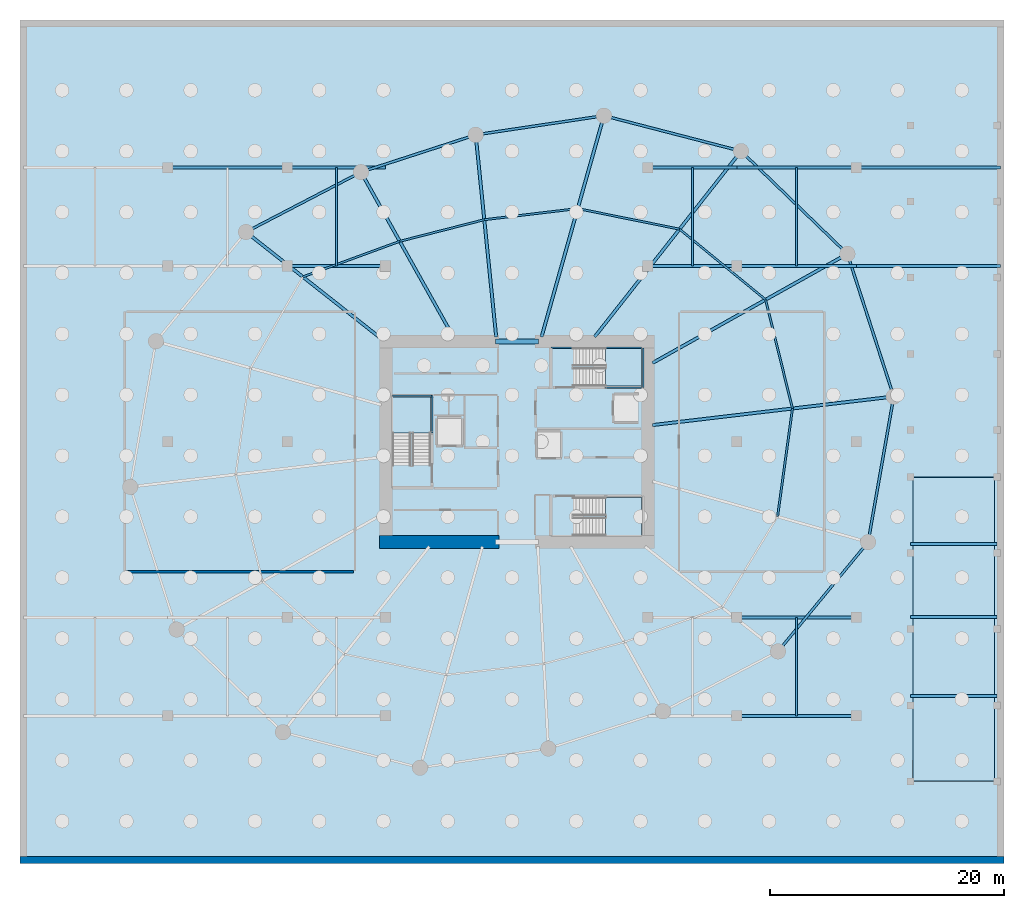
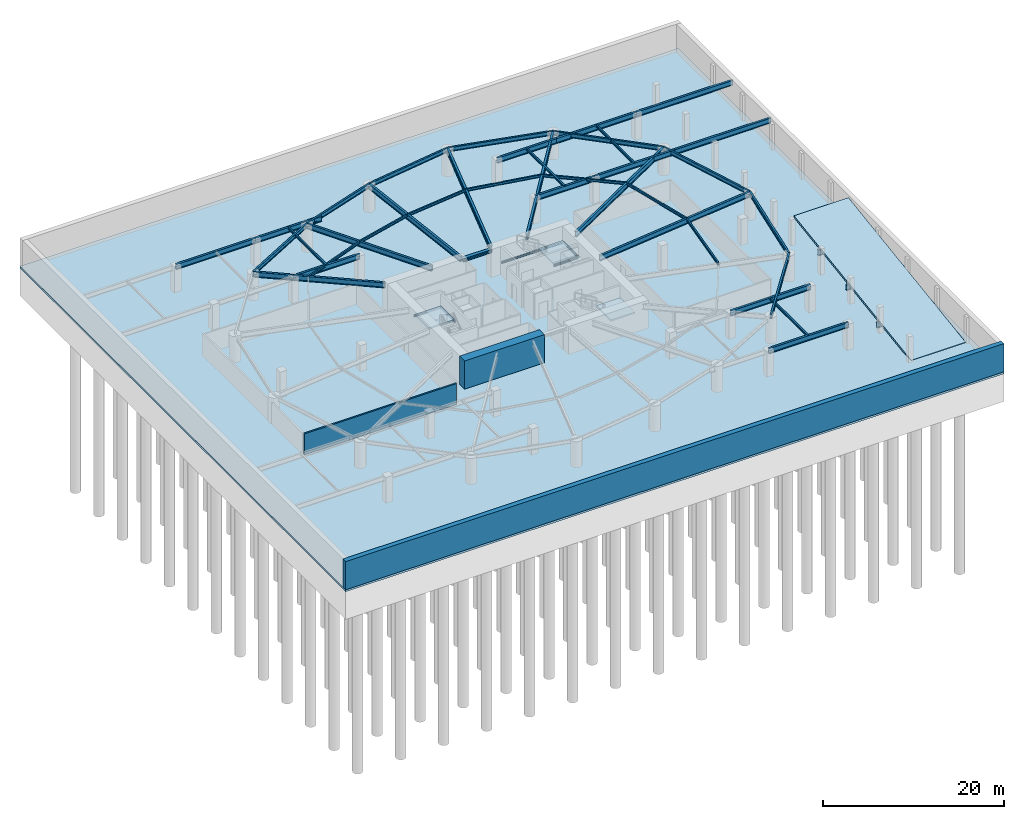
# One storey, part 6 of 12: 46 beams, 5 slabs, 3 walls, 3 elements without a shape of their own.
"""IFC4 building model written with IfcOpenShell, lengths in metres."""

import ifcopenshell
import ifcopenshell.guid

model = None  # the IFC model being written
_history = None  # IfcOwnerHistory: only IFC2X3 demands one
_inside = {}  # id of a spatial element -> (the spatial element, [elements in it])
_under = {}  # id of a project, library or spatial element -> (it, [spatial elements below it])
_declared = {}  # id of a project -> (the project, [libraries it declares])
_typed = {}  # id of a type object -> (the type object, [elements of that type])
_made_of = {}  # id of a material, layer set ... -> (it, [elements and type objects made of it])


def new_model(schema):
    """Start an empty IFC model of exactly this schema.

    Asked for "IFC4X3", IfcOpenShell would pick the latest addendum, in which some entities
    have other attributes; the version numbers below select the first issue.
    IFC2X3 requires an IfcOwnerHistory on every rooted entity: one is made here for all.
    """
    global model, _history
    if schema == "IFC4X3":
        model = ifcopenshell.file(schema_version=(4, 3, 0, 0))
    else:
        model = ifcopenshell.file(schema=schema)
    _inside.clear()
    _under.clear()
    _declared.clear()
    _typed.clear()
    _made_of.clear()
    _history = None
    if model.schema == "IFC2X3":
        org = make("IfcOrganization", Name="unknown")
        user = make(
            "IfcPersonAndOrganization",
            ThePerson=make("IfcPerson", FamilyName="unknown"),
            TheOrganization=org,
        )
        app = make(
            "IfcApplication",
            ApplicationDeveloper=org,
            Version="unknown",
            ApplicationFullName="unknown",
            ApplicationIdentifier="unknown",
        )
        _history = make(
            "IfcOwnerHistory",
            OwningUser=user,
            OwningApplication=app,
            ChangeAction="ADDED",
            CreationDate=0,
        )
    return model


def make(cls, **values):
    """One entity of the class cls with the attributes given. An attribute that is None is left unset."""
    return model.create_entity(
        cls, **{name: value for name, value in values.items() if value is not None}
    )


def rooted(cls, **values):
    """An entity with a GlobalId (a new one), such as an element, a storey or a relation."""
    return make(cls, GlobalId=ifcopenshell.guid.new(), OwnerHistory=_history, **values)


def si_unit(unit_type, name, prefix=None):
    """IfcSIUnit, for example si_unit("LENGTHUNIT", "METRE", prefix="MILLI")."""
    return make("IfcSIUnit", UnitType=unit_type, Prefix=prefix, Name=name)


def assignment(units):
    """IfcUnitAssignment: the units of a project."""
    return None if units is None else make("IfcUnitAssignment", Units=units)


def point(xyz):
    """IfcCartesianPoint."""
    return None if xyz is None else make("IfcCartesianPoint", Coordinates=xyz)


def direction(xyz):
    """IfcDirection."""
    return None if xyz is None else make("IfcDirection", DirectionRatios=xyz)


def frame(location, z_axis=None, x_axis=None):
    """IfcAxis2Placement3D, a coordinate frame: its origin and axes. An axis left out is left unset."""
    return make(
        "IfcAxis2Placement3D",
        Location=point(location),
        Axis=direction(z_axis),
        RefDirection=direction(x_axis),
    )


def frame_2d(location, x_axis=None):
    """IfcAxis2Placement2D, a coordinate frame in the plane: its origin and x axis."""
    return make(
        "IfcAxis2Placement2D", Location=point(location), RefDirection=direction(x_axis)
    )


def origin():
    """The frame at (0, 0, 0) with its axes left unset."""
    return frame((0.0, 0.0, 0.0))


def origin_2d():
    """The frame at (0, 0) in the plane with its x axis left unset."""
    return frame_2d((0.0, 0.0))


def place(relative_to, where):
    """IfcLocalPlacement: puts the frame where relative to a parent placement (None: the world)."""
    return make(
        "IfcLocalPlacement", PlacementRelTo=relative_to, RelativePlacement=where
    )


def context(
    kind, dimensions, precision=None, world=None, true_north=None, identifier=None
):
    """IfcGeometricRepresentationContext, for example the 3D "Model" context."""
    return make(
        "IfcGeometricRepresentationContext",
        ContextIdentifier=identifier,
        ContextType=kind,
        CoordinateSpaceDimension=dimensions,
        Precision=precision,
        WorldCoordinateSystem=world,
        TrueNorth=true_north,
    )


def subcontext(parent, identifier, kind, view, scale=None):
    """IfcGeometricRepresentationSubContext, for example "Body" below "Model"."""
    return make(
        "IfcGeometricRepresentationSubContext",
        ContextIdentifier=identifier,
        ContextType=kind,
        ParentContext=parent,
        TargetScale=scale,
        TargetView=view,
    )


def project(units=None, contexts=None):
    """IfcProject with its units and contexts."""
    return rooted(
        "IfcProject",
        Name="project",
        RepresentationContexts=contexts,
        UnitsInContext=assignment(units),
    )


def spatial(cls, under=None, at=None, **own):
    """A site, building, storey or space (cls), placed at a placement, below another one or the project."""
    s = rooted(cls, ObjectPlacement=at, **own)
    if under is not None:
        _under.setdefault(under.id(), (under, []))[1].append(s)
    return s


def polyline(points):
    """IfcPolyline through the points."""
    return make("IfcPolyline", Points=[point(p) for p in points])


def profile(cls, at=None, kind="AREA", **sizes):
    """A parametric profile (cls). Its sizes go by their IFC names, for example OverallWidth=200.0."""
    return make(cls, ProfileType=kind, Position=at, **sizes)


def rectangle(**sizes):
    """IfcRectangleProfileDef."""
    return profile("IfcRectangleProfileDef", **sizes)


def i_section(**sizes):
    """IfcIShapeProfileDef."""
    return profile("IfcIShapeProfileDef", **sizes)


def outline(outer, holes=None, kind="AREA"):
    """IfcArbitraryClosedProfileDef: a profile drawn as a closed curve; with holes, ...WithVoids."""
    if holes is None:
        return make("IfcArbitraryClosedProfileDef", ProfileType=kind, OuterCurve=outer)
    return make(
        "IfcArbitraryProfileDefWithVoids",
        ProfileType=kind,
        OuterCurve=outer,
        InnerCurves=holes,
    )


def extrude(swept, where, along, depth):
    """IfcExtrudedAreaSolid: the profile swept, set in the frame where, extruded along a direction by depth."""
    return make(
        "IfcExtrudedAreaSolid",
        SweptArea=swept,
        Position=where,
        ExtrudedDirection=direction(along),
        Depth=depth,
    )


def shape(context_of_items, identifier, shape_type, items):
    """IfcShapeRepresentation: the items that make up one representation, for example the "Body"."""
    return make(
        "IfcShapeRepresentation",
        ContextOfItems=context_of_items,
        RepresentationIdentifier=identifier,
        RepresentationType=shape_type,
        Items=items,
    )


def material(Name=None, Category=None):
    """IfcMaterial."""
    return make("IfcMaterial", Name=Name, Category=Category)


def layer(
    of_material, thickness, ventilated=None, Name=None, Category=None, Priority=None
):
    """IfcMaterialLayer: one layer of a wall or slab, of a material (None: an air gap)."""
    return make(
        "IfcMaterialLayer",
        Material=of_material,
        LayerThickness=thickness,
        IsVentilated=ventilated,
        Name=Name,
        Category=Category,
        Priority=Priority,
    )


def layer_set(layers, Name=None):
    """IfcMaterialLayerSet."""
    return make("IfcMaterialLayerSet", MaterialLayers=layers, LayerSetName=Name)


def material_profile(
    of_material, cross_section, Name=None, Category=None, Priority=None
):
    """IfcMaterialProfile: a cross section and its material."""
    return make(
        "IfcMaterialProfile",
        Name=Name,
        Material=of_material,
        Profile=cross_section,
        Priority=Priority,
        Category=Category,
    )


def profile_set(profiles, Name=None, composite=None):
    """IfcMaterialProfileSet."""
    return make(
        "IfcMaterialProfileSet",
        Name=Name,
        MaterialProfiles=profiles,
        CompositeProfile=composite,
    )


def made_of(thing, what):
    """Note that an element or type object is made of a material, layer set ...; save() writes the relation."""
    if what is not None:
        _made_of.setdefault(what.id(), (what, []))[1].append(thing)
    return thing


def type_object(cls, material=None, **own):
    """A type object (cls), such as IfcWallType, which elements share."""
    return made_of(rooted(cls, **own), material)


def element(
    cls,
    number,
    at=None,
    inside=None,
    cuts=None,
    type_object=None,
    material=None,
    context=None,
    identifier="Body",
    shape_type=None,
    held_by="IfcProductDefinitionShape",
    body=None,
    shapes=None,
    **own,
):
    """One element of the class cls, such as IfcWall. Its Tag is "e" and its number.

    at: its placement. inside: the storey or other place that contains it. cuts: it is an
    opening in that element (IfcRelVoidsElement). A single representation is given by context,
    identifier, shape_type and body (its items); several are given by shapes. held_by: the class
    of the entity that holds the representations. save() writes the other relations.
    """
    e = rooted(cls, Tag="e%d" % number, ObjectPlacement=at, **own)
    if body is not None:
        shapes = [shape(context, identifier, shape_type, body)]
    if shapes is not None:
        e.Representation = make(held_by, Representations=shapes)
    if inside is not None:
        _inside.setdefault(inside.id(), (inside, []))[1].append(e)
    if cuts is not None:
        rooted(
            "IfcRelVoidsElement", RelatingBuildingElement=cuts, RelatedOpeningElement=e
        )
    if type_object is not None:
        _typed.setdefault(type_object.id(), (type_object, []))[1].append(e)
    return made_of(e, material)


def aggregate(whole, parts):
    """IfcRelAggregates: a whole, such as a stair, and the parts it consists of."""
    return rooted("IfcRelAggregates", RelatingObject=whole, RelatedObjects=parts)


def save(model, path):
    """Write the relations noted so far, then the file.

    IfcRelAggregates (storeys below a building ...), IfcRelContainedInSpatialStructure (elements
    in a storey), IfcRelDefinesByType, IfcRelAssociatesMaterial and IfcRelDeclares: one each for
    every whole, place, type object, material and project.
    """
    for whole, parts in _under.values():
        aggregate(whole, parts)
    for where, things in _inside.values():
        rooted(
            "IfcRelContainedInSpatialStructure",
            RelatedElements=things,
            RelatingStructure=where,
        )
    for kind, things in _typed.values():
        rooted("IfcRelDefinesByType", RelatedObjects=things, RelatingType=kind)
    for what, things in _made_of.values():
        rooted("IfcRelAssociatesMaterial", RelatedObjects=things, RelatingMaterial=what)
    for by, libraries in _declared.values():
        rooted("IfcRelDeclares", RelatingContext=by, RelatedDefinitions=libraries)
    model.write(path)


model = new_model("IFC4")

# Units and contexts
model_context = context("Model", 3, precision=1e-05, world=origin(), true_north=direction((0.0, 1.0)))
body_context = subcontext(model_context, "Body", "Model", "MODEL_VIEW")
ifc_project = project(units=[si_unit("LENGTHUNIT", "METRE"), si_unit("AREAUNIT", "SQUARE_METRE"), si_unit("VOLUMEUNIT", "CUBIC_METRE"), si_unit("PLANEANGLEUNIT", "RADIAN"), si_unit("MASSUNIT", "GRAM", prefix="KILO")], contexts=[model_context])

# Site, building, storey
site_placement = place(None, origin())
site = spatial("IfcSite", under=ifc_project, at=site_placement, CompositionType="ELEMENT")
building_placement = place(site_placement, origin())
building = spatial("IfcBuilding", under=site, at=building_placement, Name="Kazma Halo Residences", CompositionType="ELEMENT")
storey_placement = place(building_placement, frame((0.0, 0.0, -7.60009765625)))
storey = spatial("IfcBuildingStorey", under=building, at=storey_placement, Name="B02", CompositionType="ELEMENT", Elevation=-7.60009765625)

# Beams
ifc_material_1 = material(Name="Steel S355", Category="steel")
ifc_material_profile_1 = material_profile(ifc_material_1, i_section(OverallWidth=0.25390625, OverallDepth=0.68408203125, WebThickness=0.012451171875, FlangeThickness=0.01904296875, FilletRadius=0.01806640625, at=origin_2d()), Name="W690x140")
ifc_profile_set_1 = profile_set([ifc_material_profile_1], Name="Steel S355")
beam_type_1 = type_object("IfcBeamType", Name="BM-BSMT-W690", PredefinedType="BEAM", material=ifc_profile_set_1)
for number, where, z_axis, x_axis, name in (
    (1, (67.199951171875, 18.60009765625, 3.177978515625), (1.0, 0.0, 0.0), (0.0, 1.0, 0.0), "B02 primary girder Y=18.6 bay 5"),
    (2, (67.199951171875, 27.0, 3.177978515625), (1.0, 0.0, 0.0), (0.0, 1.0, 0.0), "B02 primary girder Y=27.0 bay 5"),
):
    element("IfcBeam", number, at=place(storey_placement, frame(where, z_axis=z_axis, x_axis=x_axis)), inside=storey, type_object=beam_type_1, Name=name, PredefinedType="BEAM", context=body_context, shape_type="SweptSolid", body=[
        extrude(i_section(OverallWidth=0.25390625, OverallDepth=0.68408203125, WebThickness=0.012451171875, FlangeThickness=0.01904296875, FilletRadius=0.01806640625, at=origin_2d()), origin(), (0.0, 0.0, 1.0), 10.199951171875),
    ])
beam_1_placement = place(storey_placement, frame((28.800048828125, 57.0, 3.177978515625), z_axis=(1.0, 0.0, 0.0), x_axis=(0.0, 1.0, 0.0)))
element("IfcBeam", 3, at=beam_1_placement, inside=storey, type_object=beam_type_1, Name="B02 primary girder Y=57.0 bay 3", PredefinedType="BEAM", context=body_context, shape_type="SweptSolid", body=[
    extrude(i_section(OverallWidth=0.25390625, OverallDepth=0.68408203125, WebThickness=0.012451171875, FlangeThickness=0.01904296875, FilletRadius=0.01806640625, at=origin_2d()), origin(), (0.0, 0.0, 1.0), 8.39990234375),
])
beam_2_placement = place(storey_placement, frame((59.60009765625, 57.0, 3.177978515625), z_axis=(1.0, 0.0, 0.0), x_axis=(0.0, 1.0, 0.0)))
element("IfcBeam", 4, at=beam_2_placement, inside=storey, type_object=beam_type_1, Name="B02 primary girder Y=57.0 bay 4", PredefinedType="BEAM", context=body_context, shape_type="SweptSolid", body=[
    extrude(i_section(OverallWidth=0.25390625, OverallDepth=0.68408203125, WebThickness=0.012451171875, FlangeThickness=0.01904296875, FilletRadius=0.01806640625, at=origin_2d()), origin(), (0.0, 0.0, 1.0), 7.599853515625),
])
beam_3_placement = place(storey_placement, frame((67.199951171875, 57.0, 3.177978515625), z_axis=(1.0, 0.0, 0.0), x_axis=(0.0, 1.0, 0.0)))
element("IfcBeam", 5, at=beam_3_placement, inside=storey, type_object=beam_type_1, Name="B02 primary girder Y=57.0 bay 5", PredefinedType="BEAM", context=body_context, shape_type="SweptSolid", body=[
    extrude(i_section(OverallWidth=0.25390625, OverallDepth=0.68408203125, WebThickness=0.012451171875, FlangeThickness=0.01904296875, FilletRadius=0.01806640625, at=origin_2d()), origin(), (0.0, 0.0, 1.0), 10.199951171875),
])
beam_4_placement = place(storey_placement, frame((77.39990234375, 57.0, 3.177978515625), z_axis=(1.0, 0.0, 0.0), x_axis=(0.0, 1.0, 0.0)))
element("IfcBeam", 6, at=beam_4_placement, inside=storey, type_object=beam_type_1, Name="B02 primary girder Y=57.0 bay 6", PredefinedType="BEAM", context=body_context, shape_type="SweptSolid", body=[
    extrude(i_section(OverallWidth=0.25390625, OverallDepth=0.68408203125, WebThickness=0.012451171875, FlangeThickness=0.01904296875, FilletRadius=0.01806640625, at=origin_2d()), origin(), (0.0, 0.0, 1.0), 12.300048828125),
])
beam_5_placement = place(storey_placement, frame((18.60009765625, 65.39990234375, 3.177978515625), z_axis=(1.0, 0.0, 0.0), x_axis=(0.0, 1.0, 0.0)))
element("IfcBeam", 7, at=beam_5_placement, inside=storey, type_object=beam_type_1, Name="B02 primary girder Y=65.4 bay 2", PredefinedType="BEAM", context=body_context, shape_type="SweptSolid", body=[
    extrude(i_section(OverallWidth=0.25390625, OverallDepth=0.68408203125, WebThickness=0.012451171875, FlangeThickness=0.01904296875, FilletRadius=0.01806640625, at=origin_2d()), origin(), (0.0, 0.0, 1.0), 10.199951171875),
])
beam_6_placement = place(storey_placement, frame((28.800048828125, 65.39990234375, 3.177978515625), z_axis=(1.0, 0.0, 0.0), x_axis=(0.0, 1.0, 0.0)))
element("IfcBeam", 8, at=beam_6_placement, inside=storey, type_object=beam_type_1, Name="B02 primary girder Y=65.4 bay 3", PredefinedType="BEAM", context=body_context, shape_type="SweptSolid", body=[
    extrude(i_section(OverallWidth=0.25390625, OverallDepth=0.68408203125, WebThickness=0.012451171875, FlangeThickness=0.01904296875, FilletRadius=0.01806640625, at=origin_2d()), origin(), (0.0, 0.0, 1.0), 8.39990234375),
])
beam_7_placement = place(storey_placement, frame((59.60009765625, 65.39990234375, 3.177978515625), z_axis=(1.0, 0.0, 0.0), x_axis=(0.0, 1.0, 0.0)))
element("IfcBeam", 9, at=beam_7_placement, inside=storey, type_object=beam_type_1, Name="B02 primary girder Y=65.4 bay 4", PredefinedType="BEAM", context=body_context, shape_type="SweptSolid", body=[
    extrude(i_section(OverallWidth=0.25390625, OverallDepth=0.68408203125, WebThickness=0.012451171875, FlangeThickness=0.01904296875, FilletRadius=0.01806640625, at=origin_2d()), origin(), (0.0, 0.0, 1.0), 7.599853515625),
])
beam_8_placement = place(storey_placement, frame((67.199951171875, 65.39990234375, 3.177978515625), z_axis=(1.0, 0.0, 0.0), x_axis=(0.0, 1.0, 0.0)))
element("IfcBeam", 10, at=beam_8_placement, inside=storey, type_object=beam_type_1, Name="B02 primary girder Y=65.4 bay 5", PredefinedType="BEAM", context=body_context, shape_type="SweptSolid", body=[
    extrude(i_section(OverallWidth=0.25390625, OverallDepth=0.68408203125, WebThickness=0.012451171875, FlangeThickness=0.01904296875, FilletRadius=0.01806640625, at=origin_2d()), origin(), (0.0, 0.0, 1.0), 10.199951171875),
])
beam_9_placement = place(storey_placement, frame((77.39990234375, 65.39990234375, 3.177978515625), z_axis=(1.0, 0.0, 0.0), x_axis=(0.0, 1.0, 0.0)))
element("IfcBeam", 11, at=beam_9_placement, inside=storey, type_object=beam_type_1, Name="B02 primary girder Y=65.4 bay 6", PredefinedType="BEAM", context=body_context, shape_type="SweptSolid", body=[
    extrude(i_section(OverallWidth=0.25390625, OverallDepth=0.68408203125, WebThickness=0.012451171875, FlangeThickness=0.01904296875, FilletRadius=0.01806640625, at=origin_2d()), origin(), (0.0, 0.0, 1.0), 12.300048828125),
])
for number, where, z_axis, x_axis, name in (
    (12, (82.0, 20.302001953125, 0.439208984375), (1.0, 0.0, 0.0), (0.0, 1.0, 0.0), "B02 vehicle ramp cross beam 1"),
    (13, (82.0, 27.035888671875, 1.427001953125), (1.0, 0.0, 0.0), (0.0, 1.0, 0.0), "B02 vehicle ramp cross beam 2"),
    (14, (82.0, 33.251953125, 2.339111328125), (1.0, 0.0, 0.0), (0.0, 1.0, 0.0), "B02 vehicle ramp cross beam 3"),
):
    element("IfcBeam", number, at=place(storey_placement, frame(where, z_axis=z_axis, x_axis=x_axis)), inside=storey, type_object=beam_type_1, Name=name, PredefinedType="BEAM", context=body_context, shape_type="SweptSolid", body=[
        extrude(i_section(OverallWidth=0.25390625, OverallDepth=0.68408203125, WebThickness=0.012451171875, FlangeThickness=0.01904296875, FilletRadius=0.01806640625, at=origin_2d()), origin(), (0.0, 0.0, 1.0), 7.39990234375),
    ])
beam_10_placement = place(storey_placement, frame((60.0, 48.72021484375, 3.177978515625), z_axis=(0.872493349369, 0.488625987139, 0.0), x_axis=(-0.488625987139, 0.872493349369, 0.0)))
element("IfcBeam", 15, at=beam_10_placement, inside=storey, type_object=beam_type_1, Name="B02 radial floor beam 01", PredefinedType="BEAM", context=body_context, shape_type="SweptSolid", body=[
    extrude(i_section(OverallWidth=0.25390625, OverallDepth=0.68408203125, WebThickness=0.012451171875, FlangeThickness=0.01904296875, FilletRadius=0.01806640625, at=origin_2d()), origin(), (0.0, 0.0, 1.0), 19.0634765625),
])
beam_11_placement = place(storey_placement, frame((55.0556640625, 50.949951171875, 3.177978515625), z_axis=(0.619089277374, 0.785320613915, 0.0), x_axis=(-0.785320613915, 0.619089277374, 0.0)))
element("IfcBeam", 16, at=beam_11_placement, inside=storey, type_object=beam_type_1, Name="B02 radial floor beam 02", PredefinedType="BEAM", context=body_context, shape_type="SweptSolid", body=[
    extrude(i_section(OverallWidth=0.25390625, OverallDepth=0.68408203125, WebThickness=0.012451171875, FlangeThickness=0.01904296875, FilletRadius=0.01806640625, at=origin_2d()), origin(), (0.0, 0.0, 1.0), 20.18701171875),
])
beam_12_placement = place(storey_placement, frame((50.524169921875, 50.949951171875, 3.177978515625), z_axis=(0.271433858007, 0.962457095526, 0.0), x_axis=(-0.962457095526, 0.271433858007, 0.0)))
element("IfcBeam", 17, at=beam_12_placement, inside=storey, type_object=beam_type_1, Name="B02 radial floor beam 03", PredefinedType="BEAM", context=body_context, shape_type="SweptSolid", body=[
    extrude(i_section(OverallWidth=0.25390625, OverallDepth=0.68408203125, WebThickness=0.012451171875, FlangeThickness=0.01904296875, FilletRadius=0.01806640625, at=origin_2d()), origin(), (0.0, 0.0, 1.0), 19.617919921875),
])
beam_13_placement = place(storey_placement, frame((46.64990234375, 50.949951171875, 3.177978515625), z_axis=(-0.100981723867, 0.994888280886, 0.0), x_axis=(-0.994888280886, -0.100981723867, 0.0)))
element("IfcBeam", 18, at=beam_13_placement, inside=storey, type_object=beam_type_1, Name="B02 radial floor beam 04", PredefinedType="BEAM", context=body_context, shape_type="SweptSolid", body=[
    extrude(i_section(OverallWidth=0.25390625, OverallDepth=0.68408203125, WebThickness=0.012451171875, FlangeThickness=0.01904296875, FilletRadius=0.01806640625, at=origin_2d()), origin(), (0.0, 0.0, 1.0), 17.334716796875),
])
beam_14_placement = place(storey_placement, frame((42.98779296875, 50.949951171875, 3.177978515625), z_axis=(-0.488623198121, 0.872494911308, 0.0), x_axis=(-0.872494911308, -0.488623198121, 0.0)))
element("IfcBeam", 19, at=beam_14_placement, inside=storey, type_object=beam_type_1, Name="B02 radial floor beam 05", PredefinedType="BEAM", context=body_context, shape_type="SweptSolid", body=[
    extrude(i_section(OverallWidth=0.25390625, OverallDepth=0.68408203125, WebThickness=0.012451171875, FlangeThickness=0.01904296875, FilletRadius=0.01806640625, at=origin_2d()), origin(), (0.0, 0.0, 1.0), 16.12109375),
])
beam_15_placement = place(storey_placement, frame((36.85009765625, 50.7900390625, 3.177978515625), z_axis=(-0.785321582594, 0.619088048594, 0.0), x_axis=(-0.619088048594, -0.785321582594, 0.0)))
element("IfcBeam", 20, at=beam_15_placement, inside=storey, type_object=beam_type_1, Name="B02 radial floor beam 06", PredefinedType="BEAM", context=body_context, shape_type="SweptSolid", body=[
    extrude(i_section(OverallWidth=0.25390625, OverallDepth=0.68408203125, WebThickness=0.012451171875, FlangeThickness=0.01904296875, FilletRadius=0.01806640625, at=origin_2d()), origin(), (0.0, 0.0, 1.0), 14.718994140625),
])
beam_16_placement = place(storey_placement, frame((60.0, 43.42041015625, 3.177978515625), z_axis=(0.993069425949, 0.117529210178, 0.0), x_axis=(-0.117529210178, 0.993069425949, 0.0)))
element("IfcBeam", 21, at=beam_16_placement, inside=storey, type_object=beam_type_1, Name="B02 radial floor beam 16", PredefinedType="BEAM", context=body_context, shape_type="SweptSolid", body=[
    extrude(i_section(OverallWidth=0.25390625, OverallDepth=0.68408203125, WebThickness=0.012451171875, FlangeThickness=0.01904296875, FilletRadius=0.01806640625, at=origin_2d()), origin(), (0.0, 0.0, 1.0), 20.7333984375),
])
ifc_material_profile_2 = material_profile(ifc_material_1, i_section(OverallWidth=0.408935546875, OverallDepth=0.425048828125, WebThickness=0.03271484375, FlangeThickness=0.052490234375, FilletRadius=0.02001953125, at=origin_2d()), Name="W360x421")
ifc_profile_set_2 = profile_set([ifc_material_profile_2], Name="Steel S355")
beam_type_2 = type_object("IfcBeamType", Name="BM-CORE-W360H", PredefinedType="BEAM", material=ifc_profile_set_2)
beam_17_placement = place(storey_placement, frame((46.60009765625, 50.550048828125, 3.3076171875), z_axis=(1.0, 0.0, 0.0), x_axis=(0.0, 1.0, 0.0)))
element("IfcBeam", 22, at=beam_17_placement, inside=storey, type_object=beam_type_2, Name="B02 core coupling beam N", PredefinedType="BEAM", context=body_context, shape_type="SweptSolid", body=[
    extrude(i_section(OverallWidth=0.408935546875, OverallDepth=0.425048828125, WebThickness=0.03271484375, FlangeThickness=0.052490234375, FilletRadius=0.02001953125, at=origin_2d()), origin(), (0.0, 0.0, 1.0), 3.64990234375),
])
ifc_material_profile_3 = material_profile(ifc_material_1, i_section(OverallWidth=0.1650390625, OverallDepth=0.31005859375, WebThickness=0.005859375, FlangeThickness=0.009765625, FilletRadius=0.011962890625, at=origin_2d()), Name="W310x38.7")
ifc_profile_set_3 = profile_set([ifc_material_profile_3], Name="Steel S355")
beam_type_3 = type_object("IfcBeamType", Name="BM-SEC-W310B", PredefinedType="JOIST", material=ifc_profile_set_3)
for number, where, z_axis, x_axis, name in (
    (23, (33.0, 57.0, 3.364990234375), (0.0, 1.0, 0.0), (-1.0, 0.0, 0.0), "B02 north secondary joist 3"),
    (24, (63.39990234375, 57.0, 3.364990234375), (0.0, 1.0, 0.0), (-1.0, 0.0, 0.0), "B02 north secondary joist 4"),
    (25, (72.300048828125, 18.60009765625, 3.364990234375), (0.0, 1.0, 0.0), (-1.0, 0.0, 0.0), "B02 south secondary joist 5"),
    (26, (72.300048828125, 57.0, 3.364990234375), (0.0, 1.0, 0.0), (-1.0, 0.0, 0.0), "B02 north secondary joist 5"),
):
    element("IfcBeam", number, at=place(storey_placement, frame(where, z_axis=z_axis, x_axis=x_axis)), inside=storey, type_object=beam_type_3, Name=name, PredefinedType="JOIST", context=body_context, shape_type="SweptSolid", body=[
        extrude(i_section(OverallWidth=0.1650390625, OverallDepth=0.31005859375, WebThickness=0.005859375, FlangeThickness=0.009765625, FilletRadius=0.011962890625, at=origin_2d()), origin(), (0.0, 0.0, 1.0), 8.39990234375),
    ])
beam_18_placement = place(storey_placement, frame((69.64697265625, 54.122802734375, 3.364990234375), z_axis=(-0.773208794724, 0.634151527446, 0.0), x_axis=(-0.634151527446, -0.773208794724, 0.0)))
element("IfcBeam", 27, at=beam_18_placement, inside=storey, type_object=beam_type_3, Name="B02 circumferential floor joist 01", PredefinedType="JOIST", context=body_context, shape_type="SweptSolid", body=[
    extrude(i_section(OverallWidth=0.1650390625, OverallDepth=0.31005859375, WebThickness=0.005859375, FlangeThickness=0.009765625, FilletRadius=0.011962890625, at=origin_2d()), origin(), (0.0, 0.0, 1.0), 9.49658203125),
])
beam_19_placement = place(storey_placement, frame((62.30419921875, 60.14501953125, 3.364990234375), z_axis=(-0.980192243317, 0.198048393432, 0.0), x_axis=(-0.198048393432, -0.980192243317, 0.0)))
element("IfcBeam", 28, at=beam_19_placement, inside=storey, type_object=beam_type_3, Name="B02 circumferential floor joist 02", PredefinedType="JOIST", context=body_context, shape_type="SweptSolid", body=[
    extrude(i_section(OverallWidth=0.1650390625, OverallDepth=0.31005859375, WebThickness=0.005859375, FlangeThickness=0.009765625, FilletRadius=0.011962890625, at=origin_2d()), origin(), (0.0, 0.0, 1.0), 8.866943359375),
])
beam_20_placement = place(storey_placement, frame((53.61279296875, 61.901123046875, 3.364990234375), z_axis=(-0.993006946192, -0.118055939346, 0.0), x_axis=(0.118055939346, -0.993006946192, 0.0)))
element("IfcBeam", 29, at=beam_20_placement, inside=storey, type_object=beam_type_3, Name="B02 circumferential floor joist 03", PredefinedType="JOIST", context=body_context, shape_type="SweptSolid", body=[
    extrude(i_section(OverallWidth=0.1650390625, OverallDepth=0.31005859375, WebThickness=0.005859375, FlangeThickness=0.009765625, FilletRadius=0.011962890625, at=origin_2d()), origin(), (0.0, 0.0, 1.0), 8.0341796875),
])
beam_21_placement = place(storey_placement, frame((45.634765625, 60.95263671875, 3.364990234375), z_axis=(-0.968838753185, -0.247692289598, 0.0), x_axis=(0.247692289598, -0.968838753185, 0.0)))
element("IfcBeam", 30, at=beam_21_placement, inside=storey, type_object=beam_type_3, Name="B02 circumferential floor joist 04", PredefinedType="JOIST", context=body_context, shape_type="SweptSolid", body=[
    extrude(i_section(OverallWidth=0.1650390625, OverallDepth=0.31005859375, WebThickness=0.005859375, FlangeThickness=0.009765625, FilletRadius=0.011962890625, at=origin_2d()), origin(), (0.0, 0.0, 1.0), 7.44775390625),
])
beam_22_placement = place(storey_placement, frame((38.419189453125, 59.10791015625, 3.364990234375), z_axis=(-0.938908549767, -0.344166725838, 0.0), x_axis=(0.344166725838, -0.938908549767, 0.0)))
element("IfcBeam", 31, at=beam_22_placement, inside=storey, type_object=beam_type_3, Name="B02 circumferential floor joist 05", PredefinedType="JOIST", context=body_context, shape_type="SweptSolid", body=[
    extrude(i_section(OverallWidth=0.1650390625, OverallDepth=0.31005859375, WebThickness=0.005859375, FlangeThickness=0.009765625, FilletRadius=0.011962890625, at=origin_2d()), origin(), (0.0, 0.0, 1.0), 8.811767578125),
])
beam_23_placement = place(storey_placement, frame((70.670654296875, 35.606201171875, 3.364990234375), z_axis=(0.136476861279, 0.990643258865, 0.0), x_axis=(-0.990643258865, 0.136476861279, 0.0)))
element("IfcBeam", 32, at=beam_23_placement, inside=storey, type_object=beam_type_3, Name="B02 circumferential floor joist 15", PredefinedType="JOIST", context=body_context, shape_type="SweptSolid", body=[
    extrude(i_section(OverallWidth=0.1650390625, OverallDepth=0.31005859375, WebThickness=0.005859375, FlangeThickness=0.009765625, FilletRadius=0.011962890625, at=origin_2d()), origin(), (0.0, 0.0, 1.0), 9.314697265625),
])
beam_24_placement = place(storey_placement, frame((71.94189453125, 44.833740234375, 3.364990234375), z_axis=(-0.239845066169, 0.970811178466, 0.0), x_axis=(-0.970811178466, -0.239845066169, 0.0)))
element("IfcBeam", 33, at=beam_24_placement, inside=storey, type_object=beam_type_3, Name="B02 circumferential floor joist 16", PredefinedType="JOIST", context=body_context, shape_type="SweptSolid", body=[
    extrude(i_section(OverallWidth=0.1650390625, OverallDepth=0.31005859375, WebThickness=0.005859375, FlangeThickness=0.009765625, FilletRadius=0.011962890625, at=origin_2d()), origin(), (0.0, 0.0, 1.0), 9.568359375),
])
ifc_material_profile_4 = material_profile(ifc_material_1, i_section(OverallWidth=0.208984375, OverallDepth=0.532958984375, WebThickness=0.01025390625, FlangeThickness=0.015625, FilletRadius=0.01611328125, at=origin_2d()), Name="W530x92")
ifc_profile_set_4 = profile_set([ifc_material_profile_4], Name="Steel S355")
beam_type_4 = type_object("IfcBeamType", Name="BM-SPN-W530", PredefinedType="BEAM", material=ifc_profile_set_4)
beam_25_placement = place(storey_placement, frame((76.6328125, 58.03515625, 3.253662109375), z_axis=(-0.719339467226, 0.694658715407, 0.0), x_axis=(-0.694658715407, -0.719339467226, 0.0)))
element("IfcBeam", 34, at=beam_25_placement, inside=storey, type_object=beam_type_4, Name="B02 perimeter ring beam 01", PredefinedType="BEAM", context=body_context, shape_type="SweptSolid", body=[
    extrude(i_section(OverallWidth=0.208984375, OverallDepth=0.532958984375, WebThickness=0.01025390625, FlangeThickness=0.015625, FilletRadius=0.01611328125, at=origin_2d()), origin(), (0.0, 0.0, 1.0), 12.6220703125),
])
beam_26_placement = place(storey_placement, frame((67.55322265625, 66.80322265625, 3.253662109375), z_axis=(-0.968123781445, 0.250472241578, 0.0), x_axis=(-0.250472241578, -0.968123781445, 0.0)))
element("IfcBeam", 35, at=beam_26_placement, inside=storey, type_object=beam_type_4, Name="B02 perimeter ring beam 02", PredefinedType="BEAM", context=body_context, shape_type="SweptSolid", body=[
    extrude(i_section(OverallWidth=0.208984375, OverallDepth=0.532958984375, WebThickness=0.01025390625, FlangeThickness=0.015625, FilletRadius=0.01611328125, at=origin_2d()), origin(), (0.0, 0.0, 1.0), 12.08935546875),
])
beam_27_placement = place(storey_placement, frame((55.84912109375, 69.831298828125, 3.253662109375), z_axis=(-0.989031581018, -0.14770420356, 0.0), x_axis=(0.14770420356, -0.989031581018, 0.0)))
element("IfcBeam", 36, at=beam_27_placement, inside=storey, type_object=beam_type_4, Name="B02 perimeter ring beam 03", PredefinedType="BEAM", context=body_context, shape_type="SweptSolid", body=[
    extrude(i_section(OverallWidth=0.208984375, OverallDepth=0.532958984375, WebThickness=0.01025390625, FlangeThickness=0.015625, FilletRadius=0.01611328125, at=origin_2d()), origin(), (0.0, 0.0, 1.0), 11.071044921875),
])
beam_28_placement = place(storey_placement, frame((44.8994140625, 68.196044921875, 3.253662109375), z_axis=(-0.951061083857, -0.309002936511, 0.0), x_axis=(0.309002936511, -0.951061083857, 0.0)))
element("IfcBeam", 37, at=beam_28_placement, inside=storey, type_object=beam_type_4, Name="B02 perimeter ring beam 04", PredefinedType="BEAM", context=body_context, shape_type="SweptSolid", body=[
    extrude(i_section(OverallWidth=0.208984375, OverallDepth=0.532958984375, WebThickness=0.01025390625, FlangeThickness=0.015625, FilletRadius=0.01611328125, at=origin_2d()), origin(), (0.0, 0.0, 1.0), 10.29248046875),
])
beam_29_placement = place(storey_placement, frame((35.110595703125, 65.015625, 3.253662109375), z_axis=(-0.886954171981, -0.461857442082, 0.0), x_axis=(0.461857442082, -0.886954171981, 0.0)))
element("IfcBeam", 38, at=beam_29_placement, inside=storey, type_object=beam_type_4, Name="B02 perimeter ring beam 05", PredefinedType="BEAM", context=body_context, shape_type="SweptSolid", body=[
    extrude(i_section(OverallWidth=0.208984375, OverallDepth=0.532958984375, WebThickness=0.01025390625, FlangeThickness=0.015625, FilletRadius=0.01611328125, at=origin_2d()), origin(), (0.0, 0.0, 1.0), 11.071044921875),
])
beam_30_placement = place(storey_placement, frame((70.708984375, 24.09765625, 3.253662109375), z_axis=(0.635989643733, 0.771697591718, 0.0), x_axis=(-0.771697591718, 0.635989643733, 0.0)))
element("IfcBeam", 39, at=beam_30_placement, inside=storey, type_object=beam_type_4, Name="B02 perimeter ring beam 14", PredefinedType="BEAM", context=body_context, shape_type="SweptSolid", body=[
    extrude(i_section(OverallWidth=0.208984375, OverallDepth=0.532958984375, WebThickness=0.01025390625, FlangeThickness=0.015625, FilletRadius=0.01611328125, at=origin_2d()), origin(), (0.0, 0.0, 1.0), 12.08935546875),
])
beam_31_placement = place(storey_placement, frame((78.397705078125, 33.427001953125, 3.253662109375), z_axis=(0.173657334149, 0.984806138434, 0.0), x_axis=(-0.984806138434, 0.173657334149, 0.0)))
element("IfcBeam", 40, at=beam_31_placement, inside=storey, type_object=beam_type_4, Name="B02 perimeter ring beam 15", PredefinedType="BEAM", context=body_context, shape_type="SweptSolid", body=[
    extrude(i_section(OverallWidth=0.208984375, OverallDepth=0.532958984375, WebThickness=0.01025390625, FlangeThickness=0.015625, FilletRadius=0.01611328125, at=origin_2d()), origin(), (0.0, 0.0, 1.0), 12.6220703125),
])
beam_32_placement = place(storey_placement, frame((80.589599609375, 45.857177734375, 3.253662109375), z_axis=(-0.3090114866, 0.951058305862, 0.0), x_axis=(-0.951058305862, -0.3090114866, 0.0)))
element("IfcBeam", 41, at=beam_32_placement, inside=storey, type_object=beam_type_4, Name="B02 perimeter ring beam 16", PredefinedType="BEAM", context=body_context, shape_type="SweptSolid", body=[
    extrude(i_section(OverallWidth=0.208984375, OverallDepth=0.532958984375, WebThickness=0.01025390625, FlangeThickness=0.015625, FilletRadius=0.01611328125, at=origin_2d()), origin(), (0.0, 0.0, 1.0), 12.8046875),
])
ifc_material_profile_5 = material_profile(ifc_material_1, i_section(OverallWidth=0.133056640625, OverallDepth=0.20703125, WebThickness=0.005859375, FlangeThickness=0.00830078125, FilletRadius=0.010009765625, at=origin_2d()), Name="W200x26.6")
ifc_profile_set_5 = profile_set([ifc_material_profile_5], Name="Steel S355")
beam_type_5 = type_object("IfcBeamType", Name="BM-TRIM-W200", PredefinedType="BEAM", material=ifc_profile_set_5)
beam_33_placement = place(storey_placement, frame((41.179931640625, 42.75, 1.59521484375), z_axis=(0.0, 1.0, 0.0), x_axis=(-1.0, 0.0, 0.0)))
element("IfcBeam", 42, at=beam_33_placement, inside=storey, type_object=beam_type_5, Name="B02 ST-01 landing east wall ledger", PredefinedType="BEAM", context=body_context, shape_type="SweptSolid", body=[
    extrude(i_section(OverallWidth=0.133056640625, OverallDepth=0.20703125, WebThickness=0.005859375, FlangeThickness=0.00830078125, FilletRadius=0.010009765625, at=origin_2d()), origin(), (0.0, 0.0, 1.0), 3.18994140625),
])
beam_34_placement = place(storey_placement, frame((37.780029296875, 45.93994140625, 1.59521484375), z_axis=(1.0, 0.0, 0.0), x_axis=(0.0, 1.0, 0.0)))
element("IfcBeam", 43, at=beam_34_placement, inside=storey, type_object=beam_type_5, Name="B02 ST-01 landing end wall ledger", PredefinedType="BEAM", context=body_context, shape_type="SweptSolid", body=[
    extrude(i_section(OverallWidth=0.133056640625, OverallDepth=0.20703125, WebThickness=0.005859375, FlangeThickness=0.00830078125, FilletRadius=0.010009765625, at=origin_2d()), origin(), (0.0, 0.0, 1.0), 3.39990234375),
])
beam_35_placement = place(storey_placement, frame((51.31005859375, 50.02001953125, 1.59521484375), z_axis=(1.0, 0.0, 0.0), x_axis=(0.0, 1.0, 0.0)))
element("IfcBeam", 44, at=beam_35_placement, inside=storey, type_object=beam_type_5, Name="B02 ST-02 landing north wall ledger", PredefinedType="BEAM", context=body_context, shape_type="SweptSolid", body=[
    extrude(i_section(OverallWidth=0.133056640625, OverallDepth=0.20703125, WebThickness=0.005859375, FlangeThickness=0.00830078125, FilletRadius=0.010009765625, at=origin_2d()), origin(), (0.0, 0.0, 1.0), 7.760009765625),
])
beam_36_placement = place(storey_placement, frame((56.0, 46.6201171875, 1.59521484375), z_axis=(1.0, 0.0, 0.0), x_axis=(0.0, 1.0, 0.0)))
element("IfcBeam", 45, at=beam_36_placement, inside=storey, type_object=beam_type_5, Name="B02 ST-02 landing south wall ledger", PredefinedType="BEAM", context=body_context, shape_type="SweptSolid", body=[
    extrude(i_section(OverallWidth=0.133056640625, OverallDepth=0.20703125, WebThickness=0.005859375, FlangeThickness=0.00830078125, FilletRadius=0.010009765625, at=origin_2d()), origin(), (0.0, 0.0, 1.0), 3.070068359375),
])
beam_37_placement = place(storey_placement, frame((59.18994140625, 46.6201171875, 1.59521484375), z_axis=(0.0, 1.0, 0.0), x_axis=(-1.0, 0.0, 0.0)))
element("IfcBeam", 46, at=beam_37_placement, inside=storey, type_object=beam_type_5, Name="B02 ST-02 landing end wall ledger", PredefinedType="BEAM", context=body_context, shape_type="SweptSolid", body=[
    extrude(i_section(OverallWidth=0.133056640625, OverallDepth=0.20703125, WebThickness=0.005859375, FlangeThickness=0.00830078125, FilletRadius=0.010009765625, at=origin_2d()), origin(), (0.0, 0.0, 1.0), 3.39990234375),
])

# Slabs
ifc_material_2 = material(Name="Concrete C50/60", Category="concrete")
ifc_layer_1 = layer(ifc_material_2, 0.280029296875)
ifc_layer_set_1 = layer_set([ifc_layer_1], Name="Concrete C50/60")
slab_type_1 = type_object("IfcSlabType", Name="SLB-BASE-280", PredefinedType="BASESLAB", material=ifc_layer_set_1)
slab_1_placement = place(storey_placement, frame((0.0, 0.0, -0.27978515625)))
element("IfcSlab", 47, at=slab_1_placement, inside=storey, type_object=slab_type_1, Name="B02 structural floor slab", PredefinedType="BASESLAB", context=body_context, shape_type="SweptSolid", body=[
    extrude(outline(polyline([(6.0, 6.0), (90.0, 6.0), (90.0, 78.0), (6.0, 78.0), (6.0, 6.0)]), holes=[polyline([(82.199951171875, 13.0), (89.199951171875, 13.0), (89.199951171875, 14.85009765625), (82.199951171875, 14.85009765625), (82.199951171875, 13.0)])]), origin(), (0.0, 0.0, 1.0), 0.27978515625),
])
ifc_layer_2 = layer(ifc_material_2, 0.260009765625)
ifc_layer_set_2 = layer_set([ifc_layer_2], Name="Concrete C50/60")
slab_type_2 = type_object("IfcSlabType", Name="SLB-RAMP-250", PredefinedType="FLOOR", material=ifc_layer_set_2)
slab_2_placement = place(storey_placement, frame((82.219970703125, 13.050048828125, 0.0), z_axis=(0.0, -0.145166411204, 0.989407253389), x_axis=(1.0, 0.0, 0.0)))
element("IfcSlab", 48, at=slab_2_placement, inside=storey, type_object=slab_type_2, Name="Two-way vehicle ramp B01 to B02", PredefinedType="FLOOR", context=body_context, shape_type="SweptSolid", body=[
    extrude(outline(polyline([(0.0, 0.0), (6.9599609375, 0.0), (6.9599609375, 26.17724609375), (0.0, 26.17724609375), (0.0, 0.0)])), origin(), (0.0, 0.0, -1.0), 0.260009765625),
])

# Stair, slab
stair_type = type_object("IfcStairType", Name="STR-BSMT", PredefinedType="HALF_TURN_STAIR", material=ifc_material_2)
stair_1_placement = place(storey_placement, origin())
stair_1 = element("IfcStair", 49, at=stair_1_placement, inside=storey, type_object=stair_type, Name="B02 Core exit stair ST-01", PredefinedType="HALF_TURN_STAIR")
ifc_layer_3 = layer(ifc_material_2, 0.199951171875)
ifc_layer_set_3 = layer_set([ifc_layer_3], Name="Concrete C50/60")
slab_type_3 = type_object("IfcSlabType", Name="SLB-STAIR-LND-200", PredefinedType="LANDING", material=ifc_layer_set_3)
slab_3_placement = place(storey_placement, frame((0.0, 0.0, 1.7001953125)))
slab_3 = element("IfcSlab", 50, at=slab_3_placement, type_object=slab_type_3, Name="ST-01 landing 1", PredefinedType="LANDING", context=body_context, shape_type="SweptSolid", body=[
    extrude(outline(polyline([(41.050048828125, 42.75), (41.050048828125, 45.800048828125), (37.800048828125, 45.800048828125), (37.800048828125, 42.75), (41.050048828125, 42.75)])), origin(), (0.0, 0.0, 1.0), 0.199951171875),
])
aggregate(stair_1, [slab_3])

stair_2_placement = place(storey_placement, origin())
stair_2 = element("IfcStair", 51, at=stair_2_placement, inside=storey, type_object=stair_type, Name="B02 Core exit stair ST-02", PredefinedType="HALF_TURN_STAIR")
slab_4_placement = place(storey_placement, frame((0.0, 0.0, 1.7001953125)))
slab_4 = element("IfcSlab", 52, at=slab_4_placement, type_object=slab_type_3, Name="ST-02 landing 1", PredefinedType="LANDING", context=body_context, shape_type="SweptSolid", body=[
    extrude(outline(polyline([(56.0, 46.75), (59.050048828125, 46.75), (59.050048828125, 50.0), (56.0, 50.0), (56.0, 46.75)])), origin(), (0.0, 0.0, 1.0), 0.199951171875),
])
aggregate(stair_2, [slab_4])

stair_3_placement = place(storey_placement, origin())
stair_3 = element("IfcStair", 53, at=stair_3_placement, inside=storey, type_object=stair_type, Name="B02 Core exit stair ST-03", PredefinedType="HALF_TURN_STAIR")
slab_5_placement = place(storey_placement, frame((0.0, 0.0, 1.7001953125)))
slab_5 = element("IfcSlab", 54, at=slab_5_placement, type_object=slab_type_3, Name="ST-03 landing 1", PredefinedType="LANDING", context=body_context, shape_type="SweptSolid", body=[
    extrude(outline(polyline([(56.0, 34.0), (59.050048828125, 34.0), (59.050048828125, 37.25), (56.0, 37.25), (56.0, 34.0)])), origin(), (0.0, 0.0, 1.0), 0.199951171875),
])
aggregate(stair_3, [slab_5])

# Walls
ifc_material_3 = material(Name="Concrete C80/95", Category="concrete")
ifc_layer_4 = layer(ifc_material_3, 1.10009765625)
ifc_layer_set_4 = layer_set([ifc_layer_4], Name="Concrete C80/95")
wall_type_1 = type_object("IfcWallType", Name="WL-CORE-1100", PredefinedType="SHEAR", material=ifc_layer_set_4)
wall_1_placement = place(storey_placement, frame((36.699951171875, 33.449951171875, 0.0), z_axis=(0.0, 0.0, 1.0), x_axis=(1.0, 0.0, 0.0)))
element("IfcWall", 55, at=wall_1_placement, inside=storey, type_object=wall_type_1, Name="B02 central core shear wall SW", PredefinedType="SHEAR", context=body_context, shape_type="SweptSolid", body=[
    extrude(rectangle(XDim=10.199951171875, YDim=1.10009765625, at=frame_2d((5.10009765625, 0.0))), origin(), (0.0, 0.0, 1.0), 3.800048828125),
])
ifc_material_4 = material(Name="Fire-Rated Blockwork Masonry", Category="masonry")
ifc_layer_5 = layer(ifc_material_4, 0.199951171875)
ifc_layer_set_5 = layer_set([ifc_layer_5], Name="Fire-Rated Blockwork Masonry")
wall_type_2 = type_object("IfcWallType", Name="WL-FLB-200", PredefinedType="PARTITIONING", material=ifc_layer_set_5)
wall_2_placement = place(storey_placement, frame((15.070068359375, 30.89990234375, 0.0), z_axis=(0.0, 0.0, 1.0), x_axis=(1.0, 0.0, 0.0)))
element("IfcWall", 56, at=wall_2_placement, inside=storey, type_object=wall_type_2, Name="B02 west plant south wall", PredefinedType="PARTITIONING", context=body_context, shape_type="SweptSolid", body=[
    extrude(rectangle(XDim=19.409912109375, YDim=0.199951171875, at=frame_2d((9.705078125, 0.0))), origin(), (0.0, 0.0, 1.0), 2.81103515625),
])
ifc_layer_6 = layer(ifc_material_2, 0.60009765625)
ifc_layer_set_6 = layer_set([ifc_layer_6], Name="Concrete C50/60")
wall_type_3 = type_object("IfcWallType", Name="WL-RET-600", PredefinedType="USERDEFINED", material=ifc_layer_set_6)
wall_3_placement = place(storey_placement, frame((6.0, 6.300048828125, 0.0), z_axis=(0.0, 0.0, 1.0), x_axis=(1.0, 0.0, 0.0)))
element("IfcWall", 57, at=wall_3_placement, inside=storey, type_object=wall_type_3, Name="B02 S perimeter retaining wall", ObjectType="RETAININGWALL", PredefinedType="USERDEFINED", context=body_context, shape_type="SweptSolid", body=[
    extrude(rectangle(XDim=84.0, YDim=0.60009765625, at=frame_2d((42.0, 0.0))), origin(), (0.0, 0.0, 1.0), 3.800048828125),
])

save(model, "model.ifc")
